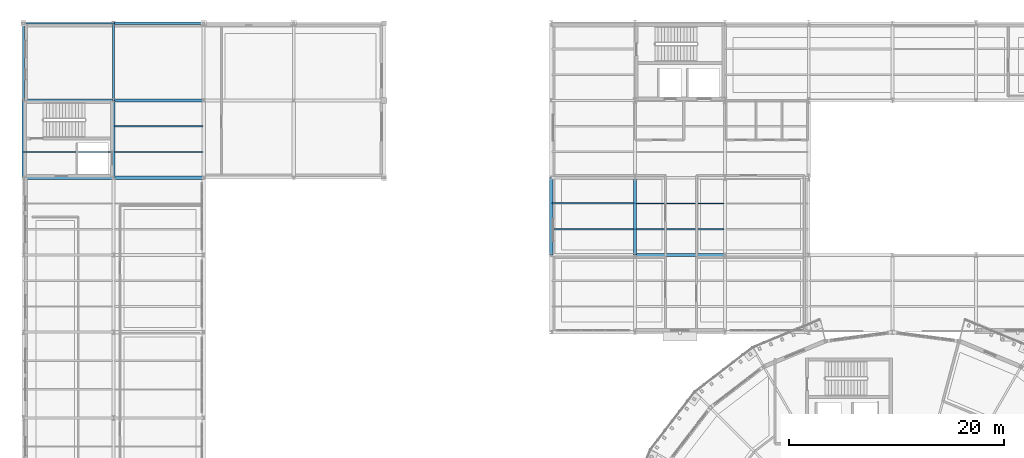
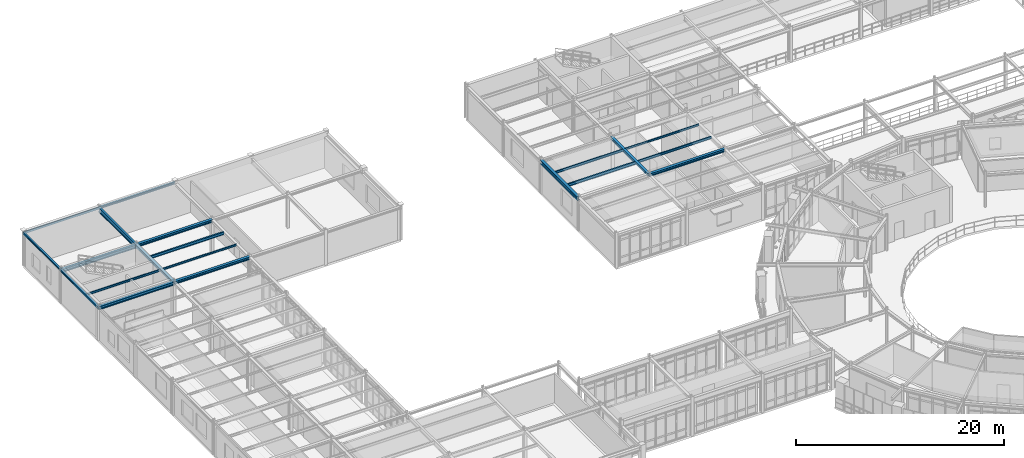
# One storey, part 45 of 90: 20 beams.
"""IFC4 building model written with IfcOpenShell, lengths in metres."""

from ifc_helpers import new_model, si_unit, derived_unit, direction, frame, origin, origin_2d, place, context, subcontext, project, spatial, hollow_rectangle, i_section, extrude, material, material_profile, profile_set, type_object, element, save


model = new_model("IFC4")

# Units and contexts
model_context = context("Model", 3, precision=1e-05, world=origin(), true_north=direction((0.0, 1.0)))
body_context = subcontext(model_context, "Body", "Model", "MODEL_VIEW")
ifc_project = project(units=[si_unit("LENGTHUNIT", "METRE"), si_unit("AREAUNIT", "SQUARE_METRE"), si_unit("VOLUMEUNIT", "CUBIC_METRE"), si_unit("PLANEANGLEUNIT", "RADIAN"), si_unit("MASSUNIT", "GRAM", prefix="KILO"), derived_unit("THERMALTRANSMITTANCEUNIT", [(si_unit("POWERUNIT", "WATT"), 1), (si_unit("AREAUNIT", "SQUARE_METRE"), -1), (si_unit("THERMODYNAMICTEMPERATUREUNIT", "KELVIN"), -1)])], contexts=[model_context])

# Site, building, storey
site_placement = place(None, origin())
site = spatial("IfcSite", under=ifc_project, at=site_placement, CompositionType="ELEMENT")
building_placement = place(site_placement, origin())
building = spatial("IfcBuilding", under=site, at=building_placement, Name="Yasenodar Specialist Clinic", CompositionType="ELEMENT")
storey_placement = place(building_placement, frame((0.0, 0.0, 9.0)))
storey = spatial("IfcBuildingStorey", under=building, at=storey_placement, Name="L02", CompositionType="ELEMENT", Elevation=9.0)

# Beams
ifc_material = material(Name="Steel S355", Category="steel")
ifc_material_profile_1 = material_profile(ifc_material, i_section(OverallWidth=0.300048828125, OverallDepth=0.2900390625, WebThickness=0.008544921875, FlangeThickness=0.013916015625, FilletRadius=0.027099609375, at=origin_2d()), Name="HEA 300")
ifc_profile_set_1 = profile_set([ifc_material_profile_1], Name="Steel S355")
beam_type_1 = type_object("IfcBeamType", Name="BM-HEA300", PredefinedType="BEAM", material=ifc_profile_set_1)
beam_1_placement = place(storey_placement, frame((8.39990234375, 97.199951171875, 3.804931640625), z_axis=(0.0, 1.0, 0.0), x_axis=(-1.0, 0.0, 0.0)))
element("IfcBeam", 1, at=beam_1_placement, inside=storey, type_object=beam_type_1, Name="L02 Primary N-S Girder", PredefinedType="BEAM", context=body_context, shape_type="SweptSolid", body=[
    extrude(i_section(OverallWidth=0.300048828125, OverallDepth=0.2900390625, WebThickness=0.008544921875, FlangeThickness=0.013916015625, FilletRadius=0.027099609375, at=origin_2d()), origin(), (0.0, 0.0, 1.0), 7.199951171875),
])
ifc_material_profile_2 = material_profile(ifc_material, i_section(OverallWidth=0.300048828125, OverallDepth=0.330078125, WebThickness=0.009521484375, FlangeThickness=0.0166015625, FilletRadius=0.027099609375, at=origin_2d()), Name="HEA 340")
ifc_profile_set_2 = profile_set([ifc_material_profile_2], Name="Steel S355")
beam_type_2 = type_object("IfcBeamType", Name="BM-HEA340", PredefinedType="BEAM", material=ifc_profile_set_2)
beam_2_placement = place(storey_placement, frame((57.0, 90.0, 3.784912109375), z_axis=(1.0, 0.0, 0.0), x_axis=(0.0, 1.0, 0.0)))
element("IfcBeam", 2, at=beam_2_placement, inside=storey, type_object=beam_type_2, Name="L02 Primary E-W Girder", PredefinedType="BEAM", context=body_context, shape_type="SweptSolid", body=[
    extrude(i_section(OverallWidth=0.300048828125, OverallDepth=0.330078125, WebThickness=0.009521484375, FlangeThickness=0.0166015625, FilletRadius=0.027099609375, at=origin_2d()), origin(), (0.0, 0.0, 1.0), 8.39990234375),
])
for number, where, z_axis, x_axis, name in (
    (3, (8.39990234375, 97.199951171875, 3.784912109375), (1.0, 0.0, 0.0), (0.0, 1.0, 0.0), "L02 Primary E-W Girder"),
    (4, (8.39990234375, 104.39990234375, 3.784912109375), (1.0, 0.0, 0.0), (0.0, 1.0, 0.0), "L02 Primary E-W Girder"),
):
    element("IfcBeam", number, at=place(storey_placement, frame(where, z_axis=z_axis, x_axis=x_axis)), inside=storey, type_object=beam_type_2, Name=name, PredefinedType="BEAM", context=body_context, shape_type="SweptSolid", body=[
        extrude(i_section(OverallWidth=0.300048828125, OverallDepth=0.330078125, WebThickness=0.009521484375, FlangeThickness=0.0166015625, FilletRadius=0.027099609375, at=origin_2d()), origin(), (0.0, 0.0, 1.0), 8.400146484375),
    ])
ifc_material_profile_3 = material_profile(ifc_material, i_section(OverallWidth=0.300048828125, OverallDepth=0.389892578125, WebThickness=0.010986328125, FlangeThickness=0.01904296875, FilletRadius=0.027099609375, at=origin_2d()), Name="HEA 400")
ifc_profile_set_3 = profile_set([ifc_material_profile_3], Name="Steel S355")
beam_type_3 = type_object("IfcBeamType", Name="BM-HEA400", PredefinedType="BEAM", material=ifc_profile_set_3)
for number, where, z_axis, x_axis, name in (
    (5, (0.0, 97.199951171875, 3.7548828125), (1.0, 0.0, 0.0), (0.0, 1.0, 0.0), "L02 Primary E-W Girder"),
    (6, (0.0, 104.39990234375, 3.7548828125), (1.0, 0.0, 0.0), (0.0, 1.0, 0.0), "L02 Primary E-W Girder"),
):
    element("IfcBeam", number, at=place(storey_placement, frame(where, z_axis=z_axis, x_axis=x_axis)), inside=storey, type_object=beam_type_3, Name=name, PredefinedType="BEAM", context=body_context, shape_type="SweptSolid", body=[
        extrude(i_section(OverallWidth=0.300048828125, OverallDepth=0.389892578125, WebThickness=0.010986328125, FlangeThickness=0.01904296875, FilletRadius=0.027099609375, at=origin_2d()), origin(), (0.0, 0.0, 1.0), 8.39990234375),
    ])
ifc_material_profile_4 = material_profile(ifc_material, i_section(OverallWidth=0.280029296875, OverallDepth=0.280029296875, WebThickness=0.010498046875, FlangeThickness=0.01806640625, FilletRadius=0.02392578125, at=origin_2d()), Name="HEB 280")
ifc_profile_set_4 = profile_set([ifc_material_profile_4], Name="Steel S355")
beam_type_4 = type_object("IfcBeamType", Name="BM-HEB280", PredefinedType="BEAM", material=ifc_profile_set_4)
beam_3_placement = place(storey_placement, frame((57.0, 90.0, 3.81005859375), z_axis=(0.0, 1.0, 0.0), x_axis=(-1.0, 0.0, 0.0)))
element("IfcBeam", 7, at=beam_3_placement, inside=storey, type_object=beam_type_4, Name="L02 Primary N-S Girder", PredefinedType="BEAM", context=body_context, shape_type="SweptSolid", body=[
    extrude(i_section(OverallWidth=0.280029296875, OverallDepth=0.280029296875, WebThickness=0.010498046875, FlangeThickness=0.01806640625, FilletRadius=0.02392578125, at=origin_2d()), origin(), (0.0, 0.0, 1.0), 7.199951171875),
])
ifc_material_profile_5 = material_profile(ifc_material, i_section(OverallWidth=0.300048828125, OverallDepth=0.449951171875, WebThickness=0.013916015625, FlangeThickness=0.02587890625, FilletRadius=0.027099609375, at=origin_2d()), Name="HEB 450")
ifc_profile_set_5 = profile_set([ifc_material_profile_5], Name="Steel S355")
beam_type_5 = type_object("IfcBeamType", Name="BM-HEB450", PredefinedType="BEAM", material=ifc_profile_set_5)
beam_4_placement = place(storey_placement, frame((49.199951171875, 90.0, 3.72509765625), z_axis=(0.0, 1.0, 0.0), x_axis=(-1.0, 0.0, 0.0)))
element("IfcBeam", 8, at=beam_4_placement, inside=storey, type_object=beam_type_5, Name="L02 Primary N-S Girder", PredefinedType="BEAM", context=body_context, shape_type="SweptSolid", body=[
    extrude(i_section(OverallWidth=0.300048828125, OverallDepth=0.449951171875, WebThickness=0.013916015625, FlangeThickness=0.02587890625, FilletRadius=0.027099609375, at=origin_2d()), origin(), (0.0, 0.0, 1.0), 7.199951171875),
])
ifc_material_profile_6 = material_profile(ifc_material, i_section(OverallWidth=0.2099609375, OverallDepth=0.550048828125, WebThickness=0.010986328125, FlangeThickness=0.01708984375, FilletRadius=0.02392578125, at=origin_2d()), Name="IPE 550")
ifc_profile_set_6 = profile_set([ifc_material_profile_6], Name="Steel S355")
beam_type_6 = type_object("IfcBeamType", Name="BM-IPE550", PredefinedType="BEAM", material=ifc_profile_set_6)
beam_5_placement = place(storey_placement, frame((8.39990234375, 104.39990234375, 3.675048828125), z_axis=(0.0, 1.0, 0.0), x_axis=(-1.0, 0.0, 0.0)))
element("IfcBeam", 9, at=beam_5_placement, inside=storey, type_object=beam_type_6, Name="L02 Primary N-S Girder", PredefinedType="BEAM", context=body_context, shape_type="SweptSolid", body=[
    extrude(i_section(OverallWidth=0.2099609375, OverallDepth=0.550048828125, WebThickness=0.010986328125, FlangeThickness=0.01708984375, FilletRadius=0.02392578125, at=origin_2d()), origin(), (0.0, 0.0, 1.0), 7.2001953125),
])
ifc_material_profile_7 = material_profile(ifc_material, i_section(OverallWidth=0.110107421875, OverallDepth=0.219970703125, WebThickness=0.005859375, FlangeThickness=0.00927734375, FilletRadius=0.011962890625, at=origin_2d()), Name="IPE 220")
ifc_profile_set_7 = profile_set([ifc_material_profile_7], Name="Steel S355")
beam_type_7 = type_object("IfcBeamType", Name="JS-IPE220", PredefinedType="JOIST", material=ifc_profile_set_7)
for number, where, z_axis, x_axis, name in (
    (10, (8.47998046875, 99.60009765625, 3.840087890625), (1.0, 0.0, 0.0), (0.0, 1.0, 0.0), "L02 Composite Floor Joist"),
    (11, (57.080078125, 94.800048828125, 3.840087890625), (1.0, 0.0, 0.0), (0.0, 1.0, 0.0), "L02 Composite Floor Joist"),
):
    element("IfcBeam", number, at=place(storey_placement, frame(where, z_axis=z_axis, x_axis=x_axis)), inside=storey, type_object=beam_type_7, Name=name, PredefinedType="JOIST", context=body_context, shape_type="SweptSolid", body=[
        extrude(i_section(OverallWidth=0.110107421875, OverallDepth=0.219970703125, WebThickness=0.005859375, FlangeThickness=0.00927734375, FilletRadius=0.011962890625, at=origin_2d()), origin(), (0.0, 0.0, 1.0), 8.239990234375),
    ])
ifc_material_profile_8 = material_profile(ifc_material, i_section(OverallWidth=0.1201171875, OverallDepth=0.239990234375, WebThickness=0.006103515625, FlangeThickness=0.009765625, FilletRadius=0.014892578125, at=origin_2d()), Name="IPE 240")
ifc_profile_set_8 = profile_set([ifc_material_profile_8], Name="Steel S355")
beam_type_8 = type_object("IfcBeamType", Name="JS-IPE240", PredefinedType="JOIST", material=ifc_profile_set_8)
beam_6_placement = place(storey_placement, frame((0.014892578125, 99.60009765625, 3.830078125), z_axis=(1.0, 0.0, 0.0), x_axis=(0.0, 1.0, 0.0)))
element("IfcBeam", 12, at=beam_6_placement, inside=storey, type_object=beam_type_8, Name="L02 Composite Floor Joist", PredefinedType="JOIST", context=body_context, shape_type="SweptSolid", body=[
    extrude(i_section(OverallWidth=0.1201171875, OverallDepth=0.239990234375, WebThickness=0.006103515625, FlangeThickness=0.009765625, FilletRadius=0.014892578125, at=origin_2d()), origin(), (0.0, 0.0, 1.0), 8.30517578125),
])
ifc_material_profile_9 = material_profile(ifc_material, i_section(OverallWidth=0.135009765625, OverallDepth=0.27001953125, WebThickness=0.006591796875, FlangeThickness=0.01025390625, FilletRadius=0.014892578125, at=origin_2d()), Name="IPE 270")
ifc_profile_set_9 = profile_set([ifc_material_profile_9], Name="Steel S355")
beam_type_9 = type_object("IfcBeamType", Name="JS-IPE270", PredefinedType="JOIST", material=ifc_profile_set_9)
beam_7_placement = place(storey_placement, frame((49.280029296875, 94.800048828125, 3.81494140625), z_axis=(1.0, 0.0, 0.0), x_axis=(0.0, 1.0, 0.0)))
element("IfcBeam", 13, at=beam_7_placement, inside=storey, type_object=beam_type_9, Name="L02 Composite Floor Joist", PredefinedType="JOIST", context=body_context, shape_type="SweptSolid", body=[
    extrude(i_section(OverallWidth=0.135009765625, OverallDepth=0.27001953125, WebThickness=0.006591796875, FlangeThickness=0.01025390625, FilletRadius=0.014892578125, at=origin_2d()), origin(), (0.0, 0.0, 1.0), 7.639892578125),
])
beam_8_placement = place(storey_placement, frame((57.080078125, 92.39990234375, 3.81494140625), z_axis=(1.0, 0.0, 0.0), x_axis=(0.0, 1.0, 0.0)))
element("IfcBeam", 14, at=beam_8_placement, inside=storey, type_object=beam_type_9, Name="L02 Composite Floor Joist", PredefinedType="JOIST", context=body_context, shape_type="SweptSolid", body=[
    extrude(i_section(OverallWidth=0.135009765625, OverallDepth=0.27001953125, WebThickness=0.006591796875, FlangeThickness=0.01025390625, FilletRadius=0.014892578125, at=origin_2d()), origin(), (0.0, 0.0, 1.0), 8.239990234375),
])
ifc_material_profile_10 = material_profile(ifc_material, i_section(OverallWidth=0.159912109375, OverallDepth=0.330078125, WebThickness=0.007568359375, FlangeThickness=0.011474609375, FilletRadius=0.01806640625, at=origin_2d()), Name="IPE 330")
ifc_profile_set_10 = profile_set([ifc_material_profile_10], Name="Steel S355")
beam_type_10 = type_object("IfcBeamType", Name="JS-IPE330", PredefinedType="JOIST", material=ifc_profile_set_10)
beam_9_placement = place(storey_placement, frame((8.47998046875, 102.0, 3.784912109375), z_axis=(1.0, 0.0, 0.0), x_axis=(0.0, 1.0, 0.0)))
element("IfcBeam", 15, at=beam_9_placement, inside=storey, type_object=beam_type_10, Name="L02 Composite Floor Joist", PredefinedType="JOIST", context=body_context, shape_type="SweptSolid", body=[
    extrude(i_section(OverallWidth=0.159912109375, OverallDepth=0.330078125, WebThickness=0.007568359375, FlangeThickness=0.011474609375, FilletRadius=0.01806640625, at=origin_2d()), origin(), (0.0, 0.0, 1.0), 8.239990234375),
])
beam_10_placement = place(storey_placement, frame((49.280029296875, 92.39990234375, 3.784912109375), z_axis=(1.0, 0.0, 0.0), x_axis=(0.0, 1.0, 0.0)))
element("IfcBeam", 16, at=beam_10_placement, inside=storey, type_object=beam_type_10, Name="L02 Composite Floor Joist", PredefinedType="JOIST", context=body_context, shape_type="SweptSolid", body=[
    extrude(i_section(OverallWidth=0.159912109375, OverallDepth=0.330078125, WebThickness=0.007568359375, FlangeThickness=0.011474609375, FilletRadius=0.01806640625, at=origin_2d()), origin(), (0.0, 0.0, 1.0), 7.639892578125),
])
ifc_material_profile_11 = material_profile(ifc_material, i_section(OverallWidth=0.199951171875, OverallDepth=0.18994140625, WebThickness=0.006591796875, FlangeThickness=0.010009765625, FilletRadius=0.01806640625, at=origin_2d()), Name="HEA 200")
ifc_profile_set_11 = profile_set([ifc_material_profile_11], Name="Steel S355")
beam_type_11 = type_object("IfcBeamType", Name="SP-HEA200", PredefinedType="SPANDREL", material=ifc_profile_set_11)
beam_11_placement = place(storey_placement, frame((0.0, 104.39990234375, 3.85498046875), z_axis=(0.0, 1.0, 0.0), x_axis=(-1.0, 0.0, 0.0)))
element("IfcBeam", 17, at=beam_11_placement, inside=storey, type_object=beam_type_11, Name="L02 Perimeter Spandrel Beam", PredefinedType="SPANDREL", context=body_context, shape_type="SweptSolid", body=[
    extrude(i_section(OverallWidth=0.199951171875, OverallDepth=0.18994140625, WebThickness=0.006591796875, FlangeThickness=0.010009765625, FilletRadius=0.01806640625, at=origin_2d()), origin(), (0.0, 0.0, 1.0), 7.2001953125),
])
ifc_material_profile_12 = material_profile(ifc_material, i_section(OverallWidth=0.239990234375, OverallDepth=0.22998046875, WebThickness=0.007568359375, FlangeThickness=0.011962890625, FilletRadius=0.02099609375, at=origin_2d()), Name="HEA 240")
ifc_profile_set_12 = profile_set([ifc_material_profile_12], Name="Steel S355")
beam_type_12 = type_object("IfcBeamType", Name="SP-HEA240", PredefinedType="SPANDREL", material=ifc_profile_set_12)
beam_12_placement = place(storey_placement, frame((8.39990234375, 111.60009765625, 3.8349609375), z_axis=(1.0, 0.0, 0.0), x_axis=(0.0, 1.0, 0.0)))
element("IfcBeam", 18, at=beam_12_placement, inside=storey, type_object=beam_type_12, Name="L02 Perimeter Spandrel Beam", PredefinedType="SPANDREL", context=body_context, shape_type="SweptSolid", body=[
    extrude(i_section(OverallWidth=0.239990234375, OverallDepth=0.22998046875, WebThickness=0.007568359375, FlangeThickness=0.011962890625, FilletRadius=0.02099609375, at=origin_2d()), origin(), (0.0, 0.0, 1.0), 8.400146484375),
])
beam_13_placement = place(storey_placement, frame((0.0, 97.199951171875, 3.8349609375), z_axis=(0.0, 1.0, 0.0), x_axis=(-1.0, 0.0, 0.0)))
element("IfcBeam", 19, at=beam_13_placement, inside=storey, type_object=beam_type_12, Name="L02 Perimeter Spandrel Beam", PredefinedType="SPANDREL", context=body_context, shape_type="SweptSolid", body=[
    extrude(i_section(OverallWidth=0.239990234375, OverallDepth=0.22998046875, WebThickness=0.007568359375, FlangeThickness=0.011962890625, FilletRadius=0.02099609375, at=origin_2d()), origin(), (0.0, 0.0, 1.0), 7.199951171875),
])
ifc_material_profile_13 = material_profile(ifc_material, hollow_rectangle(XDim=0.14990234375, YDim=0.25, WallThickness=0.010009765625, InnerFilletRadius=0.014892578125, OuterFilletRadius=0.02490234375, at=origin_2d()), Name="RHS 250x150x10")
ifc_profile_set_13 = profile_set([ifc_material_profile_13], Name="Steel S355")
beam_type_13 = type_object("IfcBeamType", Name="SP-RHS250", PredefinedType="SPANDREL", material=ifc_profile_set_13)
beam_14_placement = place(storey_placement, frame((0.0, 111.60009765625, 3.824951171875), z_axis=(1.0, 0.0, 0.0), x_axis=(0.0, 1.0, 0.0)))
element("IfcBeam", 20, at=beam_14_placement, inside=storey, type_object=beam_type_13, Name="L02 Perimeter Spandrel Beam", PredefinedType="SPANDREL", context=body_context, shape_type="SweptSolid", body=[
    extrude(hollow_rectangle(XDim=0.14990234375, YDim=0.25, WallThickness=0.010009765625, InnerFilletRadius=0.014892578125, OuterFilletRadius=0.02490234375, at=origin_2d()), origin(), (0.0, 0.0, 1.0), 8.39990234375),
])

save(model, "model.ifc")
